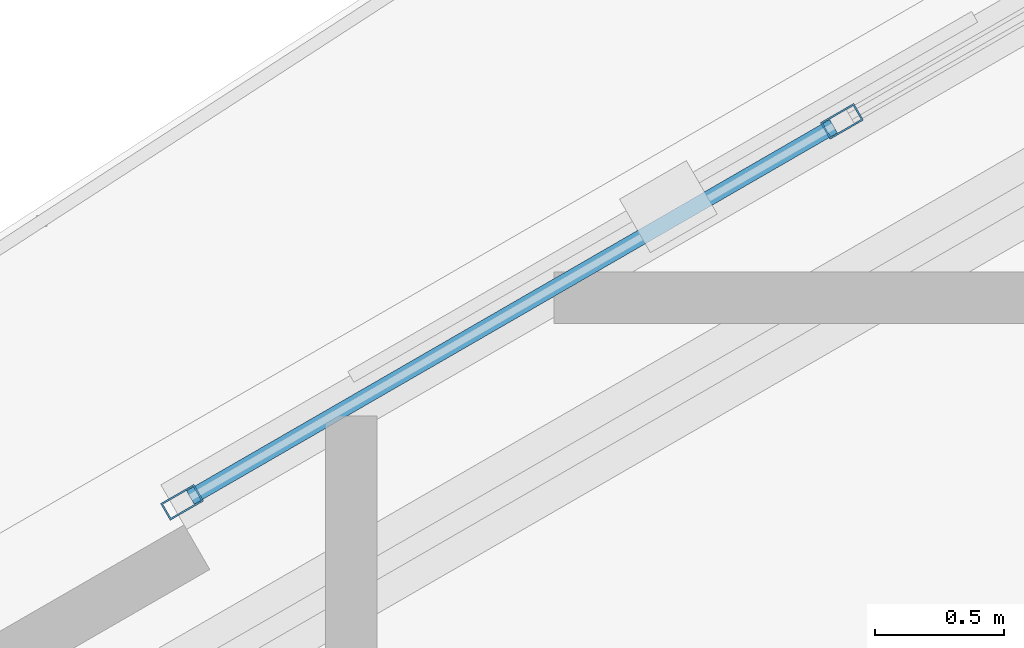
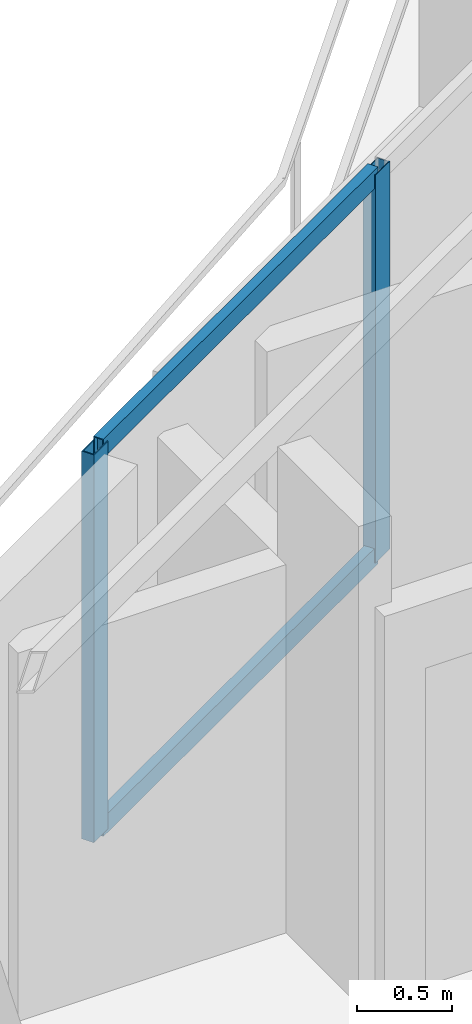
# One storey, part 6 of 19: 4 members, 1 element without a shape of its own.
"""IFC4 building model written with IfcOpenShell, lengths in metres."""

from ifc_helpers import new_model, si_unit, direction, frame, origin, origin_2d, place, context, subcontext, project, spatial, hollow_rectangle, extrude, material, layer, layer_set, material_profile, profile_set, type_object, element, aggregate, save


model = new_model("IFC4")

# Units and contexts
model_context = context("Model", 3, precision=1e-05, world=origin(), true_north=direction((0.0, 1.0)))
body_context = subcontext(model_context, "Body", "Model", "MODEL_VIEW")
ifc_project = project(units=[si_unit("LENGTHUNIT", "METRE"), si_unit("AREAUNIT", "SQUARE_METRE"), si_unit("VOLUMEUNIT", "CUBIC_METRE"), si_unit("PLANEANGLEUNIT", "RADIAN"), si_unit("MASSUNIT", "GRAM", prefix="KILO")], contexts=[model_context])

# Site, building, storey
site_placement = place(None, origin())
site = spatial("IfcSite", under=ifc_project, at=site_placement, CompositionType="ELEMENT")
building_placement = place(site_placement, origin())
building = spatial("IfcBuilding", under=site, at=building_placement, Name="Mersakhor Tower and Convention Hall", CompositionType="ELEMENT")
storey_placement = place(building_placement, frame((0.0, 0.0, 175.5)))
storey = spatial("IfcBuildingStorey", under=building, at=storey_placement, Name="L48", CompositionType="ELEMENT", Elevation=175.5)

# Curtain wall, members
ifc_material_1 = material(Name="Dark solar low-E aluminium curtain wall", Category="aluminium")
ifc_layer = layer(ifc_material_1, 0.169921875)
ifc_layer_set = layer_set([ifc_layer], Name="Dark solar low-E aluminium curtain wall")
curtain_wall_type = type_object("IfcCurtainWallType", Name="CW-SYS-02", PredefinedType="USERDEFINED", material=ifc_layer_set)
curtain_wall_placement = place(storey_placement, origin())
curtain_wall = element("IfcCurtainWall", 1, at=curtain_wall_placement, inside=storey, type_object=curtain_wall_type, Name="L48 Dark-Glass Curtain Wall F1-B2", ObjectType="CURTAIN WALL", PredefinedType="USERDEFINED")
ifc_material_2 = material(Name="Anodised aluminium EN AW-6063 T6", Category="aluminium")
ifc_material_profile_1 = material_profile(ifc_material_2, hollow_rectangle(XDim=0.074951171875, YDim=0.14990234375, WallThickness=0.00634765625, at=origin_2d()), Name="RHS 150x75x6.3")
ifc_profile_set_1 = profile_set([ifc_material_profile_1], Name="Anodised aluminium EN AW-6063 T6")
member_type_1 = type_object("IfcMemberType", Name="CWM-150x75", PredefinedType="MULLION", material=ifc_profile_set_1)
member_1_placement = place(storey_placement, frame((19.341796875, 34.554931640625, 0.199951171875), z_axis=(0.0, 0.0, 1.0), x_axis=(-0.500007824483, 0.86602088627, 0.0)))
member_1 = element("IfcMember", 2, at=member_1_placement, type_object=member_type_1, Name="CW-02 mullion 1", PredefinedType="MULLION", context=body_context, shape_type="SweptSolid", body=[
    extrude(hollow_rectangle(XDim=0.074951171875, YDim=0.14990234375, WallThickness=0.00634765625, at=origin_2d()), origin(), (0.0, 0.0, 1.0), 2.489990234375),
])
member_2_placement = place(storey_placement, frame((21.906982421875, 36.035888671875, 0.199951171875), z_axis=(0.0, 0.0, 1.0), x_axis=(-0.500007824483, 0.86602088627, 0.0)))
member_2 = element("IfcMember", 3, at=member_2_placement, type_object=member_type_1, Name="CW-02 mullion 2", PredefinedType="MULLION", context=body_context, shape_type="SweptSolid", body=[
    extrude(hollow_rectangle(XDim=0.074951171875, YDim=0.14990234375, WallThickness=0.00634765625, at=origin_2d()), origin(), (0.0, 0.0, 1.0), 2.489990234375),
])
ifc_material_3 = material(Name="Anodised aluminium EN AW-6063 T6", Category="aluminium")
ifc_material_profile_2 = material_profile(ifc_material_3, hollow_rectangle(XDim=0.06005859375, YDim=0.1201171875, WallThickness=0.0048828125, at=origin_2d()), Name="RHS 120x60x5")
ifc_profile_set_2 = profile_set([ifc_material_profile_2], Name="Anodised aluminium EN AW-6063 T6")
member_type_2 = type_object("IfcMemberType", Name="CWT-120x60", PredefinedType="USERDEFINED", material=ifc_profile_set_2)
member_3_placement = place(storey_placement, frame((19.374267578125, 34.573486328125, 0.22998046875), z_axis=(0.86601237176, 0.50002257145, 0.0), x_axis=(-0.50002257145, 0.86601237176, 0.0)))
member_3 = element("IfcMember", 4, at=member_3_placement, type_object=member_type_2, Name="CW-02 transom 1.1", ObjectType="TRANSOM", PredefinedType="USERDEFINED", context=body_context, shape_type="SweptSolid", body=[
    extrude(hollow_rectangle(XDim=0.06005859375, YDim=0.1201171875, WallThickness=0.0048828125, at=origin_2d()), origin(), (0.0, 0.0, 1.0), 2.886962890625),
])
member_4_placement = place(storey_placement, frame((19.374267578125, 34.573486328125, 2.659912109375), z_axis=(0.86601237176, 0.50002257145, 0.0), x_axis=(-0.50002257145, 0.86601237176, 0.0)))
member_4 = element("IfcMember", 5, at=member_4_placement, type_object=member_type_2, Name="CW-02 transom 1.2", ObjectType="TRANSOM", PredefinedType="USERDEFINED", context=body_context, shape_type="SweptSolid", body=[
    extrude(hollow_rectangle(XDim=0.06005859375, YDim=0.1201171875, WallThickness=0.0048828125, at=origin_2d()), origin(), (0.0, 0.0, 1.0), 2.886962890625),
])
aggregate(curtain_wall, [member_1, member_2, member_3, member_4])

save(model, "model.ifc")
